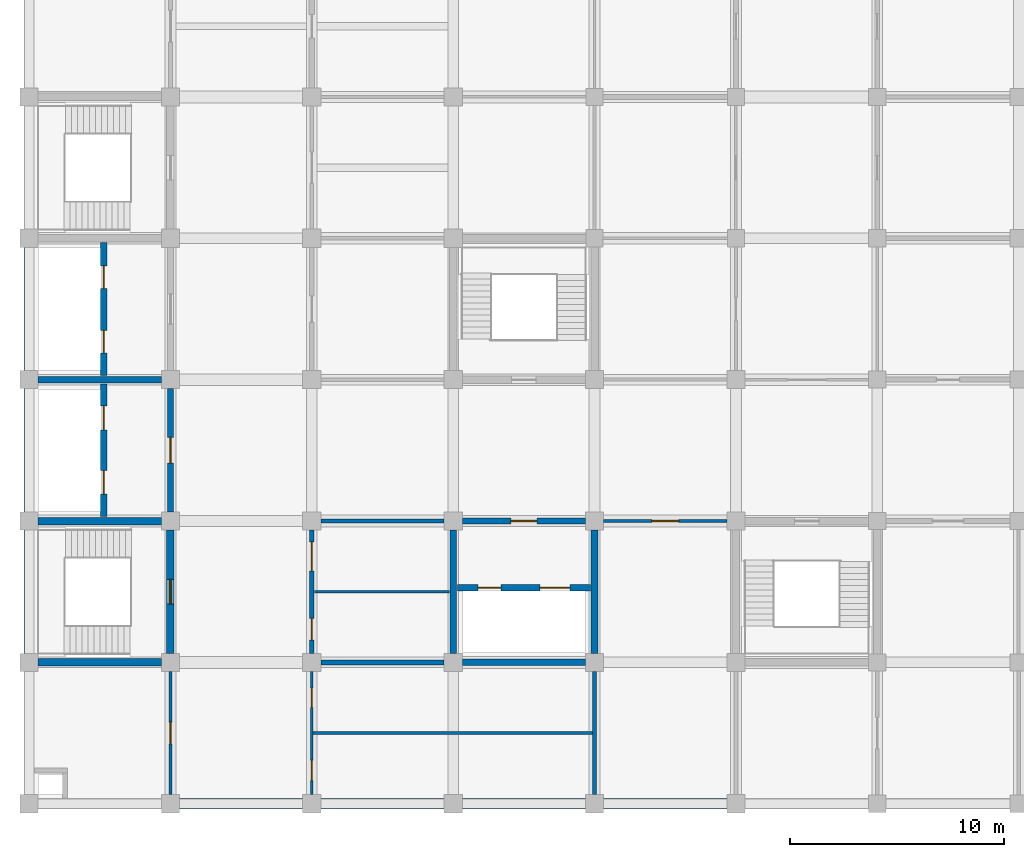
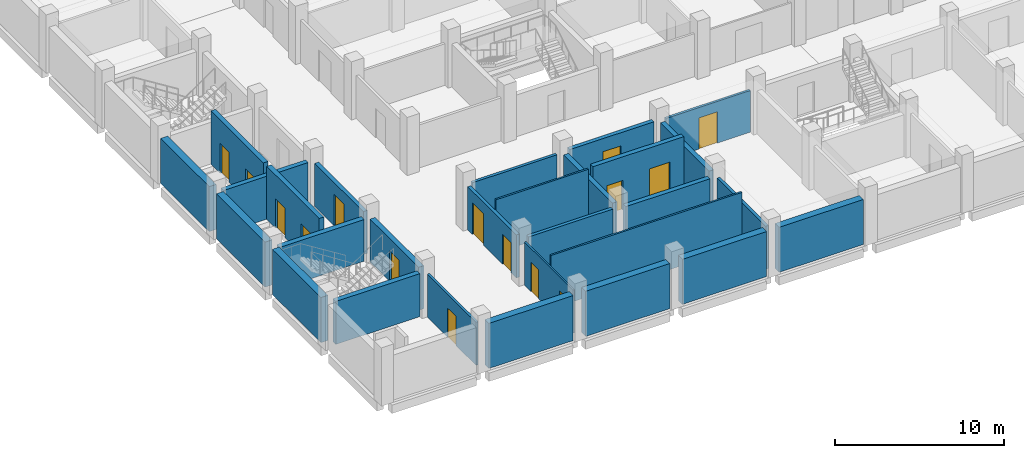
# One storey, part 17 of 30: 28 walls, 15 doors, 15 openings.
"""IFC4 building model written with IfcOpenShell, lengths in metres."""

from ifc_helpers import new_model, si_unit, direction, frame, frame_2d, origin, place, context, subcontext, project, spatial, rectangle, extrude, material, layer, layer_set, type_object, element, fill, save


model = new_model("IFC4")

# Units and contexts
model_context = context("Model", 3, precision=1e-05, world=origin(), true_north=direction((0.0, 1.0)))
body_context = subcontext(model_context, "Body", "Model", "MODEL_VIEW")
ifc_project = project(units=[si_unit("LENGTHUNIT", "METRE"), si_unit("AREAUNIT", "SQUARE_METRE"), si_unit("VOLUMEUNIT", "CUBIC_METRE"), si_unit("PLANEANGLEUNIT", "RADIAN"), si_unit("MASSUNIT", "GRAM", prefix="KILO")], contexts=[model_context])

# Site, building, storey
site_placement = place(None, origin())
site = spatial("IfcSite", under=ifc_project, at=site_placement, CompositionType="ELEMENT")
building_placement = place(site_placement, origin())
building = spatial("IfcBuilding", under=site, at=building_placement, Name="Rusizi Kubbe Research Institute", CompositionType="ELEMENT")
storey_placement = place(building_placement, frame((0.0, 0.0, 10.199951171875)))
storey = spatial("IfcBuildingStorey", under=building, at=storey_placement, Name="L02", CompositionType="ELEMENT", Elevation=10.199951171875)

# Walls
ifc_material_1 = material(Name="Concrete C45/55", Category="concrete")
ifc_layer_1 = layer(ifc_material_1, 0.35009765625)
ifc_layer_set_1 = layer_set([ifc_layer_1], Name="Concrete C45/55")
wall_type_1 = type_object("IfcWallType", Name="CRW-01", PredefinedType="SHEAR", material=ifc_layer_set_1)
wall_1_placement = place(storey_placement, frame((0.425048828125, 6.60009765625, 0.0), z_axis=(0.0, 0.0, 1.0), x_axis=(1.0, 0.0, 0.0)))
element("IfcWall", 1, at=wall_1_placement, inside=storey, type_object=wall_type_1, Name="Stair Core Shear Wall ST1 L02 S", PredefinedType="SHEAR", context=body_context, shape_type="SweptSolid", body=[
    extrude(rectangle(XDim=5.75, YDim=0.35009765625, at=frame_2d((2.875, 0.0))), origin(), (0.0, 0.0, 1.0), 3.10009765625),
])
wall_2_placement = place(storey_placement, frame((0.425048828125, 13.199951171875, 0.0), z_axis=(0.0, 0.0, 1.0), x_axis=(1.0, 0.0, 0.0)))
element("IfcWall", 2, at=wall_2_placement, inside=storey, type_object=wall_type_1, Name="Stair Core Shear Wall ST1 L02 N", PredefinedType="SHEAR", context=body_context, shape_type="SweptSolid", body=[
    extrude(rectangle(XDim=5.75, YDim=0.35009765625, at=frame_2d((2.875, 0.0))), origin(), (0.0, 0.0, 1.0), 3.0),
])

# Wall, opening, door
wall_3_placement = place(storey_placement, frame((6.60009765625, 7.02490234375, 0.0), z_axis=(0.0, 0.0, 1.0), x_axis=(0.0, 1.0, 0.0)))
wall_3 = element("IfcWall", 3, at=wall_3_placement, inside=storey, type_object=wall_type_1, Name="Stair Core Shear Wall ST1 L02 E", PredefinedType="SHEAR", context=body_context, shape_type="SweptSolid", body=[
    extrude(rectangle(XDim=5.75, YDim=0.35009765625, at=frame_2d((2.875, 0.0))), origin(), (0.0, 0.0, 1.0), 3.10009765625),
])
opening_1_placement = place(wall_3_placement, frame((2.300048828125, 0.0, 0.0)))
opening_1 = element("IfcOpeningElement", 4, at=opening_1_placement, cuts=wall_3, Name="Opening D-02", PredefinedType="OPENING", context=body_context, shape_type="SweptSolid", body=[
    extrude(rectangle(XDim=1.14990234375, YDim=2.199951171875, at=frame_2d((0.574951171875, 1.10009765625))), frame((0.0, 0.18505859375, 0.0), z_axis=(0.0, -1.0, 0.0), x_axis=(1.0, 0.0, 0.0)), (0.0, 0.0, 1.0), 0.3701171875),
])
ifc_material_2 = material(Name="Fire-Rated Steel Frame and Acoustic Timber Leaf", Category="wood")
door_type_1 = type_object("IfcDoorType", Name="ID-STAIR-115", OperationType="NOTDEFINED", PredefinedType="DOOR", material=ifc_material_2)
door_1_placement = place(opening_1_placement, origin())
door_1 = element("IfcDoor", 5, at=door_1_placement, inside=storey, type_object=door_type_1, Name="Exit Stair Door ST1 L02", OperationType="SINGLE_SWING_RIGHT", OverallHeight=2.199951171875, OverallWidth=1.14990234375, PredefinedType="DOOR", context=body_context, shape_type="SweptSolid", body=[
    extrude(rectangle(XDim=1.14990234375, YDim=2.199951171875, at=frame_2d((0.574951171875, 1.10009765625))), frame((0.0, 0.02490234375, 0.0), z_axis=(0.0, -1.0, 0.0), x_axis=(1.0, 0.0, 0.0)), (0.0, 0.0, 1.0), 0.050048828125),
])
fill(opening_1, door_1)

# Walls
ifc_material_3 = material(Name="Concrete C45/55", Category="concrete")
ifc_layer_2 = layer(ifc_material_3, 0.31494140625)
ifc_layer_set_2 = layer_set([ifc_layer_2], Name="Concrete C45/55")
wall_type_2 = type_object("IfcWallType", Name="CRW-02", PredefinedType="SHEAR", material=ifc_layer_set_2)
wall_4_placement = place(storey_placement, frame((0.425048828125, 19.800048828125, 0.0), z_axis=(0.0, 0.0, 1.0), x_axis=(1.0, 0.0, 0.0)))
element("IfcWall", 6, at=wall_4_placement, inside=storey, type_object=wall_type_2, Name="Lift Core Divider Wall (0,2-3) L02", PredefinedType="SHEAR", context=body_context, shape_type="SweptSolid", body=[
    extrude(rectangle(XDim=5.75, YDim=0.31494140625, at=frame_2d((2.875, 0.0))), origin(), (0.0, 0.0, 1.0), 3.10009765625),
])
wall_5_placement = place(storey_placement, frame((20.22509765625, 6.60009765625, 0.0), z_axis=(0.0, 0.0, 1.0), x_axis=(1.0, 0.0, 0.0)))
element("IfcWall", 7, at=wall_5_placement, inside=storey, type_object=wall_type_2, Name="Lab Lift Core Wall S (3,1) L02", PredefinedType="SHEAR", context=body_context, shape_type="SweptSolid", body=[
    extrude(rectangle(XDim=5.75, YDim=0.31494140625, at=frame_2d((2.875, 0.0))), origin(), (0.0, 0.0, 1.0), 3.0),
])
for number, where, z_axis, x_axis, name in (
    (8, (19.800048828125, 7.02490234375, 0.0), (0.0, 0.0, 1.0), (0.0, 1.0, 0.0), "Lab Lift Core Wall W (3,1) L02"),
    (9, (26.39990234375, 7.02490234375, 0.0), (0.0, 0.0, 1.0), (0.0, 1.0, 0.0), "Lab Lift Core Wall E (3,1) L02"),
):
    element("IfcWall", number, at=place(storey_placement, frame(where, z_axis=z_axis, x_axis=x_axis)), inside=storey, type_object=wall_type_2, Name=name, PredefinedType="SHEAR", context=body_context, shape_type="SweptSolid", body=[
        extrude(rectangle(XDim=5.75, YDim=0.31494140625, at=frame_2d((2.875, 0.0))), origin(), (0.0, 0.0, 1.0), 3.10009765625),
    ])

# Wall, openings, doors
wall_6_placement = place(storey_placement, frame((3.47998046875, 13.39990234375, 0.0), z_axis=(0.0, 0.0, 1.0), x_axis=(0.0, 1.0, 0.0)))
wall_6 = element("IfcWall", 10, at=wall_6_placement, inside=storey, type_object=wall_type_2, Name="Firefighting Lift Shaft Front Wall L02", PredefinedType="SHEAR", context=body_context, shape_type="SweptSolid", body=[
    extrude(rectangle(XDim=6.2001953125, YDim=0.31494140625, at=frame_2d((3.10009765625, 0.0))), origin(), (0.0, 0.0, 1.0), 3.85009765625),
])
opening_2_placement = place(wall_6_placement, frame((1.050048828125, 0.0, 0.0)))
opening_2 = element("IfcOpeningElement", 11, at=opening_2_placement, cuts=wall_6, Name="Opening LD-01", PredefinedType="OPENING", context=body_context, shape_type="SweptSolid", body=[
    extrude(rectangle(XDim=1.10009765625, YDim=2.14990234375, at=frame_2d((0.550048828125, 1.074951171875))), frame((0.0, 0.16748046875, 0.0), z_axis=(0.0, -1.0, 0.0), x_axis=(1.0, 0.0, 0.0)), (0.0, 0.0, 1.0), 0.3349609375),
])
opening_3_placement = place(wall_6_placement, frame((4.050048828125, 0.0, 0.0)))
opening_3 = element("IfcOpeningElement", 12, at=opening_3_placement, cuts=wall_6, Name="Opening LD-02", PredefinedType="OPENING", context=body_context, shape_type="SweptSolid", body=[
    extrude(rectangle(XDim=1.1201171875, YDim=2.14990234375, at=frame_2d((0.56005859375, 1.074951171875))), frame((0.0, 0.16748046875, 0.0), z_axis=(0.0, -1.0, 0.0), x_axis=(1.0, 0.0, 0.0)), (0.0, 0.0, 1.0), 0.3349609375),
])
ifc_material_4 = material(Name="Brushed Stainless Steel Sliding Door", Category="steel")
door_type_2 = type_object("IfcDoorType", Name="LD-01", OperationType="DOUBLE_DOOR_SLIDING", PredefinedType="USERDEFINED", material=ifc_material_4)
door_2_placement = place(opening_2_placement, origin())
door_2 = element("IfcDoor", 13, at=door_2_placement, inside=storey, type_object=door_type_2, Name="Lift Landing Sliding Door FL1 L02", ObjectType="SLIDING DOOR", OperationType="DOUBLE_DOOR_SLIDING", OverallHeight=2.14990234375, OverallWidth=1.10009765625, PredefinedType="USERDEFINED", context=body_context, shape_type="SweptSolid", body=[
    extrude(rectangle(XDim=1.10009765625, YDim=2.14990234375, at=frame_2d((0.550048828125, 1.074951171875))), frame((0.0, 0.02490234375, 0.0), z_axis=(0.0, -1.0, 0.0), x_axis=(1.0, 0.0, 0.0)), (0.0, 0.0, 1.0), 0.050048828125),
])
fill(opening_2, door_2)
ifc_material_5 = material(Name="Brushed Stainless Steel Sliding Door", Category="steel")
door_type_3 = type_object("IfcDoorType", Name="LD-02", OperationType="DOUBLE_DOOR_SLIDING", PredefinedType="USERDEFINED", material=ifc_material_5)
door_3_placement = place(opening_3_placement, origin())
door_3 = element("IfcDoor", 14, at=door_3_placement, inside=storey, type_object=door_type_3, Name="Lift Landing Sliding Door FL2 L02", ObjectType="SLIDING DOOR", OperationType="DOUBLE_DOOR_SLIDING", OverallHeight=2.14990234375, OverallWidth=1.1201171875, PredefinedType="USERDEFINED", context=body_context, shape_type="SweptSolid", body=[
    extrude(rectangle(XDim=1.1201171875, YDim=2.14990234375, at=frame_2d((0.56005859375, 1.074951171875))), frame((0.0, 0.02490234375, 0.0), z_axis=(0.0, -1.0, 0.0), x_axis=(1.0, 0.0, 0.0)), (0.0, 0.0, 1.0), 0.050048828125),
])
fill(opening_3, door_3)

wall_7_placement = place(storey_placement, frame((3.47998046875, 20.0, 0.0), z_axis=(0.0, 0.0, 1.0), x_axis=(0.0, 1.0, 0.0)))
wall_7 = element("IfcWall", 15, at=wall_7_placement, inside=storey, type_object=wall_type_2, Name="Passenger Lift Shaft Front Wall L02", PredefinedType="SHEAR", context=body_context, shape_type="SweptSolid", body=[
    extrude(rectangle(XDim=6.199951171875, YDim=0.31494140625, at=frame_2d((3.10009765625, 0.0))), origin(), (0.0, 0.0, 1.0), 3.85009765625),
])
opening_4_placement = place(wall_7_placement, frame((1.050048828125, 0.0, 0.0)))
opening_4 = element("IfcOpeningElement", 16, at=opening_4_placement, cuts=wall_7, Name="Opening LD-03", PredefinedType="OPENING", context=body_context, shape_type="SweptSolid", body=[
    extrude(rectangle(XDim=1.050048828125, YDim=2.14990234375, at=frame_2d((0.52490234375, 1.074951171875))), frame((0.0, 0.16748046875, 0.0), z_axis=(0.0, -1.0, 0.0), x_axis=(1.0, 0.0, 0.0)), (0.0, 0.0, 1.0), 0.3349609375),
])
opening_5_placement = place(wall_7_placement, frame((4.050048828125, 0.0, 0.0)))
opening_5 = element("IfcOpeningElement", 17, at=opening_5_placement, cuts=wall_7, Name="Opening LD-04", PredefinedType="OPENING", context=body_context, shape_type="SweptSolid", body=[
    extrude(rectangle(XDim=1.06005859375, YDim=2.14990234375, at=frame_2d((0.530029296875, 1.074951171875))), frame((0.0, 0.16748046875, 0.0), z_axis=(0.0, -1.0, 0.0), x_axis=(1.0, 0.0, 0.0)), (0.0, 0.0, 1.0), 0.3349609375),
])
ifc_material_6 = material(Name="Brushed Stainless Steel Sliding Door", Category="steel")
door_type_4 = type_object("IfcDoorType", Name="LD-03", OperationType="DOUBLE_DOOR_SLIDING", PredefinedType="USERDEFINED", material=ifc_material_6)
door_4_placement = place(opening_4_placement, origin())
door_4 = element("IfcDoor", 18, at=door_4_placement, inside=storey, type_object=door_type_4, Name="Lift Landing Sliding Door LP1 L02", ObjectType="SLIDING DOOR", OperationType="DOUBLE_DOOR_SLIDING", OverallHeight=2.14990234375, OverallWidth=1.050048828125, PredefinedType="USERDEFINED", context=body_context, shape_type="SweptSolid", body=[
    extrude(rectangle(XDim=1.050048828125, YDim=2.14990234375, at=frame_2d((0.52490234375, 1.074951171875))), frame((0.0, 0.02490234375, 0.0), z_axis=(0.0, -1.0, 0.0), x_axis=(1.0, 0.0, 0.0)), (0.0, 0.0, 1.0), 0.050048828125),
])
fill(opening_4, door_4)
ifc_material_7 = material(Name="Brushed Stainless Steel Sliding Door", Category="steel")
door_type_5 = type_object("IfcDoorType", Name="LD-04", OperationType="DOUBLE_DOOR_SLIDING", PredefinedType="USERDEFINED", material=ifc_material_7)
door_5_placement = place(opening_5_placement, origin())
door_5 = element("IfcDoor", 19, at=door_5_placement, inside=storey, type_object=door_type_5, Name="Lift Landing Sliding Door LP2 L02", ObjectType="SLIDING DOOR", OperationType="DOUBLE_DOOR_SLIDING", OverallHeight=2.14990234375, OverallWidth=1.06005859375, PredefinedType="USERDEFINED", context=body_context, shape_type="SweptSolid", body=[
    extrude(rectangle(XDim=1.06005859375, YDim=2.14990234375, at=frame_2d((0.530029296875, 1.074951171875))), frame((0.0, 0.02490234375, 0.0), z_axis=(0.0, -1.0, 0.0), x_axis=(1.0, 0.0, 0.0)), (0.0, 0.0, 1.0), 0.050048828125),
])
fill(opening_5, door_5)

wall_8_placement = place(storey_placement, frame((20.0, 10.080078125, 0.0), z_axis=(0.0, 0.0, 1.0), x_axis=(1.0, 0.0, 0.0)))
wall_8 = element("IfcWall", 20, at=wall_8_placement, inside=storey, type_object=wall_type_2, Name="Goods Lift Shaft Front Wall L02", PredefinedType="SHEAR", context=body_context, shape_type="SweptSolid", body=[
    extrude(rectangle(XDim=6.199951171875, YDim=0.31494140625, at=frame_2d((3.10009765625, 0.0))), origin(), (0.0, 0.0, 1.0), 3.85009765625),
])
opening_6_placement = place(wall_8_placement, frame((0.949951171875, 0.0, 0.0)))
opening_6 = element("IfcOpeningElement", 21, at=opening_6_placement, cuts=wall_8, Name="Opening LD-05", PredefinedType="OPENING", context=body_context, shape_type="SweptSolid", body=[
    extrude(rectangle(XDim=1.080078125, YDim=2.14990234375, at=frame_2d((0.5400390625, 1.074951171875))), frame((0.0, 0.16748046875, 0.0), z_axis=(0.0, -1.0, 0.0), x_axis=(1.0, 0.0, 0.0)), (0.0, 0.0, 1.0), 0.3349609375),
])
opening_7_placement = place(wall_8_placement, frame((3.85009765625, 0.0, 0.0)))
opening_7 = element("IfcOpeningElement", 22, at=opening_7_placement, cuts=wall_8, Name="Opening LD-06", PredefinedType="OPENING", context=body_context, shape_type="SweptSolid", body=[
    extrude(rectangle(XDim=1.39990234375, YDim=2.35009765625, at=frame_2d((0.699951171875, 1.175048828125))), frame((0.0, 0.16748046875, 0.0), z_axis=(0.0, -1.0, 0.0), x_axis=(1.0, 0.0, 0.0)), (0.0, 0.0, 1.0), 0.3349609375),
])
ifc_material_8 = material(Name="Brushed Stainless Steel Sliding Door", Category="steel")
door_type_6 = type_object("IfcDoorType", Name="LD-05", OperationType="DOUBLE_DOOR_SLIDING", PredefinedType="USERDEFINED", material=ifc_material_8)
door_6_placement = place(opening_6_placement, origin())
door_6 = element("IfcDoor", 23, at=door_6_placement, inside=storey, type_object=door_type_6, Name="Lift Landing Sliding Door LP3 L02", ObjectType="SLIDING DOOR", OperationType="DOUBLE_DOOR_SLIDING", OverallHeight=2.14990234375, OverallWidth=1.080078125, PredefinedType="USERDEFINED", context=body_context, shape_type="SweptSolid", body=[
    extrude(rectangle(XDim=1.080078125, YDim=2.14990234375, at=frame_2d((0.5400390625, 1.074951171875))), frame((0.0, 0.02490234375, 0.0), z_axis=(0.0, -1.0, 0.0), x_axis=(1.0, 0.0, 0.0)), (0.0, 0.0, 1.0), 0.050048828125),
])
fill(opening_6, door_6)
ifc_material_9 = material(Name="Brushed Stainless Steel Sliding Door", Category="steel")
door_type_7 = type_object("IfcDoorType", Name="LD-06", OperationType="DOUBLE_DOOR_SLIDING", PredefinedType="USERDEFINED", material=ifc_material_9)
door_7_placement = place(opening_7_placement, origin())
door_7 = element("IfcDoor", 24, at=door_7_placement, inside=storey, type_object=door_type_7, Name="Lift Landing Sliding Door LG1 L02", ObjectType="SLIDING DOOR", OperationType="DOUBLE_DOOR_SLIDING", OverallHeight=2.35009765625, OverallWidth=1.39990234375, PredefinedType="USERDEFINED", context=body_context, shape_type="SweptSolid", body=[
    extrude(rectangle(XDim=1.39990234375, YDim=2.35009765625, at=frame_2d((0.699951171875, 1.175048828125))), frame((0.0, 0.02490234375, 0.0), z_axis=(0.0, -1.0, 0.0), x_axis=(1.0, 0.0, 0.0)), (0.0, 0.0, 1.0), 0.050048828125),
])
fill(opening_7, door_7)

# Wall
ifc_material_10 = material(Name="Concrete Blockwork Fire Partition", Category="masonry")
ifc_layer_3 = layer(ifc_material_10, 0.22509765625)
ifc_layer_set_3 = layer_set([ifc_layer_3], Name="Concrete Blockwork Fire Partition")
wall_type_3 = type_object("IfcWallType", Name="IW-01", PredefinedType="PARTITIONING", material=ifc_layer_set_3)
wall_9_placement = place(storey_placement, frame((13.625, 6.60009765625, 0.0), z_axis=(0.0, 0.0, 1.0), x_axis=(1.0, 0.0, 0.0)))
element("IfcWall", 25, at=wall_9_placement, inside=storey, type_object=wall_type_3, Name="Sanitary Core North Divider Wall L02", PredefinedType="PARTITIONING", context=body_context, shape_type="SweptSolid", body=[
    extrude(rectangle(XDim=5.75, YDim=0.22509765625, at=frame_2d((2.875, 0.0))), origin(), (0.0, 0.0, 1.0), 3.10009765625),
])

# Wall, openings, doors
wall_10_placement = place(storey_placement, frame((13.199951171875, 7.02490234375, 0.0), z_axis=(0.0, 0.0, 1.0), x_axis=(0.0, 1.0, 0.0)))
wall_10 = element("IfcWall", 26, at=wall_10_placement, inside=storey, type_object=wall_type_3, Name="Accessible WC and Store West Wall L02", PredefinedType="PARTITIONING", context=body_context, shape_type="SweptSolid", body=[
    extrude(rectangle(XDim=5.75, YDim=0.22509765625, at=frame_2d((2.875, 0.0))), origin(), (0.0, 0.0, 1.0), 3.10009765625),
])
opening_8_placement = place(wall_10_placement, frame((0.614990234375, 0.0, 0.0)))
opening_8 = element("IfcOpeningElement", 27, at=opening_8_placement, cuts=wall_10, Name="Opening D-07", PredefinedType="OPENING", context=body_context, shape_type="SweptSolid", body=[
    extrude(rectangle(XDim=1.02001953125, YDim=2.14990234375, at=frame_2d((0.510009765625, 1.074951171875))), frame((0.0, 0.12255859375, 0.0), z_axis=(0.0, -1.0, 0.0), x_axis=(1.0, 0.0, 0.0)), (0.0, 0.0, 1.0), 0.2451171875),
])
opening_9_placement = place(wall_10_placement, frame((3.85009765625, 0.0, 0.0)))
opening_9 = element("IfcOpeningElement", 28, at=opening_9_placement, cuts=wall_10, Name="Opening D-13", PredefinedType="OPENING", context=body_context, shape_type="SweptSolid", body=[
    extrude(rectangle(XDim=1.35009765625, YDim=2.300048828125, at=frame_2d((0.675048828125, 1.14990234375))), frame((0.0, 0.12255859375, 0.0), z_axis=(0.0, -1.0, 0.0), x_axis=(1.0, 0.0, 0.0)), (0.0, 0.0, 1.0), 0.2451171875),
])
ifc_material_11 = material(Name="Fire-Rated Steel Frame and Acoustic Timber Leaf", Category="wood")
door_type_8 = type_object("IfcDoorType", Name="ID-LAB-135", OperationType="NOTDEFINED", PredefinedType="DOOR", material=ifc_material_11)
door_8_placement = place(opening_9_placement, origin())
door_8 = element("IfcDoor", 29, at=door_8_placement, inside=storey, type_object=door_type_8, Name="Door to Laboratory Reagent Store (L02-STR-01)", OperationType="SINGLE_SWING_LEFT", OverallHeight=2.300048828125, OverallWidth=1.35009765625, PredefinedType="DOOR", context=body_context, shape_type="SweptSolid", body=[
    extrude(rectangle(XDim=1.35009765625, YDim=2.300048828125, at=frame_2d((0.675048828125, 1.14990234375))), frame((0.0, 0.02490234375, 0.0), z_axis=(0.0, -1.0, 0.0), x_axis=(1.0, 0.0, 0.0)), (0.0, 0.0, 1.0), 0.050048828125),
])
fill(opening_9, door_8)
ifc_material_12 = material(Name="Fire-Rated Steel Frame and Acoustic Timber Leaf", Category="wood")
door_type_9 = type_object("IfcDoorType", Name="ID-WC-ACC", OperationType="NOTDEFINED", PredefinedType="DOOR", material=ifc_material_12)
door_9_placement = place(opening_8_placement, origin())
door_9 = element("IfcDoor", 30, at=door_9_placement, inside=storey, type_object=door_type_9, Name="Door to Accessible Toilet Room (L02-WC-ACC)", OperationType="SINGLE_SWING_LEFT", OverallHeight=2.14990234375, OverallWidth=1.02001953125, PredefinedType="DOOR", context=body_context, shape_type="SweptSolid", body=[
    extrude(rectangle(XDim=1.02001953125, YDim=2.14990234375, at=frame_2d((0.510009765625, 1.074951171875))), frame((0.0, 0.02490234375, 0.0), z_axis=(0.0, -1.0, 0.0), x_axis=(1.0, 0.0, 0.0)), (0.0, 0.0, 1.0), 0.050048828125),
])
fill(opening_8, door_9)

# Walls
ifc_material_13 = material(Name="Insulated Cleanroom Partition", Category="masonry")
ifc_layer_4 = layer(ifc_material_13, 0.195068359375)
ifc_layer_set_4 = layer_set([ifc_layer_4], Name="Insulated Cleanroom Partition")
wall_type_4 = type_object("IfcWallType", Name="IW-02", PredefinedType="PARTITIONING", material=ifc_layer_set_4)
wall_11_placement = place(storey_placement, frame((26.39990234375, 0.425048828125, 0.0), z_axis=(0.0, 0.0, 1.0), x_axis=(0.0, 1.0, 0.0)))
element("IfcWall", 31, at=wall_11_placement, inside=storey, type_object=wall_type_4, Name="Sanitary Core East Enclosing Wall L02", PredefinedType="PARTITIONING", context=body_context, shape_type="SweptSolid", body=[
    extrude(rectangle(XDim=5.75, YDim=0.195068359375, at=frame_2d((2.875, 0.0))), origin(), (0.0, 0.0, 1.0), 3.10009765625),
])
wall_12_placement = place(storey_placement, frame((13.625, 13.199951171875, 0.0), z_axis=(0.0, 0.0, 1.0), x_axis=(1.0, 0.0, 0.0)))
element("IfcWall", 32, at=wall_12_placement, inside=storey, type_object=wall_type_4, Name="Reagent Store North Corridor Wall L02", PredefinedType="PARTITIONING", context=body_context, shape_type="SweptSolid", body=[
    extrude(rectangle(XDim=5.75, YDim=0.195068359375, at=frame_2d((2.875, 0.0))), origin(), (0.0, 0.0, 1.0), 3.0),
])

# Wall, opening, door
ifc_material_14 = material(Name="Fire-Rated Corridor Partition", Category="masonry")
ifc_layer_5 = layer(ifc_material_14, 0.155029296875)
ifc_layer_set_5 = layer_set([ifc_layer_5], Name="Fire-Rated Corridor Partition")
wall_type_5 = type_object("IfcWallType", Name="IW-04", PredefinedType="PARTITIONING", material=ifc_layer_set_5)
wall_13_placement = place(storey_placement, frame((6.60009765625, 0.425048828125, 0.0), z_axis=(0.0, 0.0, 1.0), x_axis=(0.0, 1.0, 0.0)))
wall_13 = element("IfcWall", 33, at=wall_13_placement, inside=storey, type_object=wall_type_5, Name="Interior Partition Wall L02 V1-0", PredefinedType="PARTITIONING", context=body_context, shape_type="SweptSolid", body=[
    extrude(rectangle(XDim=5.75, YDim=0.155029296875, at=frame_2d((2.875, 0.0))), origin(), (0.0, 0.0, 1.0), 3.10009765625),
])
opening_10_placement = place(wall_13_placement, frame((2.375, 0.0, 0.0)))
opening_10 = element("IfcOpeningElement", 34, at=opening_10_placement, cuts=wall_13, Name="Opening D-04", PredefinedType="OPENING", context=body_context, shape_type="SweptSolid", body=[
    extrude(rectangle(XDim=1.0, YDim=2.10009765625, at=frame_2d((0.5, 1.050048828125))), frame((0.0, 0.08740234375, 0.0), z_axis=(0.0, -1.0, 0.0), x_axis=(1.0, 0.0, 0.0)), (0.0, 0.0, 1.0), 0.175048828125),
])
ifc_material_15 = material(Name="Fire-Rated Steel Frame and Acoustic Timber Leaf", Category="wood")
door_type_10 = type_object("IfcDoorType", Name="ID-MEP-100", OperationType="NOTDEFINED", PredefinedType="DOOR", material=ifc_material_15)
door_10_placement = place(opening_10_placement, origin())
door_10 = element("IfcDoor", 35, at=door_10_placement, inside=storey, type_object=door_type_10, Name="Door to Service Spine Utility Riser Room (L02-MEP-01)", OperationType="SINGLE_SWING_RIGHT", OverallHeight=2.10009765625, OverallWidth=1.0, PredefinedType="DOOR", context=body_context, shape_type="SweptSolid", body=[
    extrude(rectangle(XDim=1.0, YDim=2.10009765625, at=frame_2d((0.5, 1.050048828125))), frame((0.0, 0.02490234375, 0.0), z_axis=(0.0, -1.0, 0.0), x_axis=(1.0, 0.0, 0.0)), (0.0, 0.0, 1.0), 0.050048828125),
])
fill(opening_10, door_10)

wall_14_placement = place(storey_placement, frame((26.824951171875, 13.199951171875, 0.0), z_axis=(0.0, 0.0, 1.0), x_axis=(1.0, 0.0, 0.0)))
wall_14 = element("IfcWall", 36, at=wall_14_placement, inside=storey, type_object=wall_type_5, Name="Interior Partition Wall L02 H4-2", PredefinedType="PARTITIONING", context=body_context, shape_type="SweptSolid", body=[
    extrude(rectangle(XDim=5.75, YDim=0.155029296875, at=frame_2d((2.875, 0.0))), origin(), (0.0, 0.0, 1.0), 3.0),
])
opening_11_placement = place(wall_14_placement, frame((2.25, 0.0, 0.0)))
opening_11 = element("IfcOpeningElement", 37, at=opening_11_placement, cuts=wall_14, Name="Opening D-15", PredefinedType="OPENING", context=body_context, shape_type="SweptSolid", body=[
    extrude(rectangle(XDim=1.25, YDim=2.25, at=frame_2d((0.625, 1.125))), frame((0.0, 0.08740234375, 0.0), z_axis=(0.0, -1.0, 0.0), x_axis=(1.0, 0.0, 0.0)), (0.0, 0.0, 1.0), 0.175048828125),
])
ifc_material_16 = material(Name="Fire-Rated Steel Frame and Acoustic Timber Leaf", Category="wood")
door_type_11 = type_object("IfcDoorType", Name="ID-LAB-125", OperationType="NOTDEFINED", PredefinedType="DOOR", material=ifc_material_16)
door_11_placement = place(opening_11_placement, origin())
door_11 = element("IfcDoor", 38, at=door_11_placement, inside=storey, type_object=door_type_11, Name="Door to Catalysis Wet Laboratory (L02-EWS-01)", OperationType="SINGLE_SWING_LEFT", OverallHeight=2.25, OverallWidth=1.25, PredefinedType="DOOR", context=body_context, shape_type="SweptSolid", body=[
    extrude(rectangle(XDim=1.25, YDim=2.25, at=frame_2d((0.625, 1.125))), frame((0.0, 0.02490234375, 0.0), z_axis=(0.0, -1.0, 0.0), x_axis=(1.0, 0.0, 0.0)), (0.0, 0.0, 1.0), 0.050048828125),
])
fill(opening_11, door_11)

# Walls
ifc_material_17 = material(Name="Sanitary Wet-Wall Partition", Category="masonry")
ifc_layer_6 = layer(ifc_material_17, 0.125)
ifc_layer_set_6 = layer_set([ifc_layer_6], Name="Sanitary Wet-Wall Partition")
wall_type_6 = type_object("IfcWallType", Name="IW-06", PredefinedType="PARTITIONING", material=ifc_layer_set_6)
wall_15_placement = place(storey_placement, frame((13.260009765625, 3.300048828125, 0.0), z_axis=(0.0, 0.0, 1.0), x_axis=(1.0, 0.0, 0.0)))
element("IfcWall", 39, at=wall_15_placement, inside=storey, type_object=wall_type_6, Name="Sanitary Divider Wall L02-1", PredefinedType="PARTITIONING", context=body_context, shape_type="SweptSolid", body=[
    extrude(rectangle(XDim=13.03759765625, YDim=0.125, at=frame_2d((6.518798828125, 0.0))), origin(), (0.0, 0.0, 1.0), 3.85009765625),
])
wall_16_placement = place(storey_placement, frame((13.3173828125, 9.89990234375, 0.0), z_axis=(0.0, 0.0, 1.0), x_axis=(1.0, 0.0, 0.0)))
element("IfcWall", 40, at=wall_16_placement, inside=storey, type_object=wall_type_6, Name="Sanitary Divider Wall L02-2", PredefinedType="PARTITIONING", context=body_context, shape_type="SweptSolid", body=[
    extrude(rectangle(XDim=6.320068359375, YDim=0.125, at=frame_2d((3.16015625, 0.0))), origin(), (0.0, 0.0, 1.0), 3.85009765625),
])

# Wall, openings, doors
ifc_material_18 = material(Name="Sub-Suite Fire Partition", Category="masonry")
ifc_layer_7 = layer(ifc_material_18, 0.110107421875)
ifc_layer_set_7 = layer_set([ifc_layer_7], Name="Sub-Suite Fire Partition")
wall_type_7 = type_object("IfcWallType", Name="IW-07", PredefinedType="PARTITIONING", material=ifc_layer_set_7)
wall_17_placement = place(storey_placement, frame((13.199951171875, 0.425048828125, 0.0), z_axis=(0.0, 0.0, 1.0), x_axis=(0.0, 1.0, 0.0)))
wall_17 = element("IfcWall", 41, at=wall_17_placement, inside=storey, type_object=wall_type_7, Name="Sanitary Core West Corridor Wall L02", PredefinedType="PARTITIONING", context=body_context, shape_type="SweptSolid", body=[
    extrude(rectangle(XDim=5.75, YDim=0.110107421875, at=frame_2d((2.875, 0.0))), origin(), (0.0, 0.0, 1.0), 3.10009765625),
])
opening_12_placement = place(wall_17_placement, frame((0.64990234375, 0.0, 0.0)))
opening_12 = element("IfcOpeningElement", 42, at=opening_12_placement, cuts=wall_17, Name="Opening D-06", PredefinedType="OPENING", context=body_context, shape_type="SweptSolid", body=[
    extrude(rectangle(XDim=0.949951171875, YDim=2.10009765625, at=frame_2d((0.47509765625, 1.050048828125))), frame((0.0, 0.06494140625, 0.0), z_axis=(0.0, -1.0, 0.0), x_axis=(1.0, 0.0, 0.0)), (0.0, 0.0, 1.0), 0.130126953125),
])
opening_13_placement = place(wall_17_placement, frame((4.074951171875, 0.0, 0.0)))
opening_13 = element("IfcOpeningElement", 43, at=opening_13_placement, cuts=wall_17, Name="Opening D-05", PredefinedType="OPENING", context=body_context, shape_type="SweptSolid", body=[
    extrude(rectangle(XDim=0.89990234375, YDim=2.10009765625, at=frame_2d((0.449951171875, 1.050048828125))), frame((0.0, 0.06494140625, 0.0), z_axis=(0.0, -1.0, 0.0), x_axis=(1.0, 0.0, 0.0)), (0.0, 0.0, 1.0), 0.130126953125),
])
ifc_material_19 = material(Name="Fire-Rated Steel Frame and Acoustic Timber Leaf", Category="wood")
door_type_12 = type_object("IfcDoorType", Name="ID-WC-900", OperationType="NOTDEFINED", PredefinedType="DOOR", material=ifc_material_19)
door_12_placement = place(opening_13_placement, origin())
door_12 = element("IfcDoor", 44, at=door_12_placement, inside=storey, type_object=door_type_12, Name="Door to Female Toilet Room (L02-WC-F)", OperationType="SINGLE_SWING_LEFT", OverallHeight=2.10009765625, OverallWidth=0.89990234375, PredefinedType="DOOR", context=body_context, shape_type="SweptSolid", body=[
    extrude(rectangle(XDim=0.89990234375, YDim=2.10009765625, at=frame_2d((0.449951171875, 1.050048828125))), frame((0.0, 0.02490234375, 0.0), z_axis=(0.0, -1.0, 0.0), x_axis=(1.0, 0.0, 0.0)), (0.0, 0.0, 1.0), 0.050048828125),
])
fill(opening_13, door_12)
ifc_material_20 = material(Name="Fire-Rated Steel Frame and Acoustic Timber Leaf", Category="wood")
door_type_13 = type_object("IfcDoorType", Name="ID-WC-950", OperationType="NOTDEFINED", PredefinedType="DOOR", material=ifc_material_20)
door_13_placement = place(opening_12_placement, origin())
door_13 = element("IfcDoor", 45, at=door_13_placement, inside=storey, type_object=door_type_13, Name="Door to Male Toilet Room (L02-WC-M)", OperationType="SINGLE_SWING_RIGHT", OverallHeight=2.10009765625, OverallWidth=0.949951171875, PredefinedType="DOOR", context=body_context, shape_type="SweptSolid", body=[
    extrude(rectangle(XDim=0.949951171875, YDim=2.10009765625, at=frame_2d((0.47509765625, 1.050048828125))), frame((0.0, 0.02490234375, 0.0), z_axis=(0.0, -1.0, 0.0), x_axis=(1.0, 0.0, 0.0)), (0.0, 0.0, 1.0), 0.050048828125),
])
fill(opening_12, door_13)

# Walls
ifc_material_21 = material(Name="Concrete C40/50", Category="concrete")
ifc_layer_8 = layer(ifc_material_21, 0.47998046875)
ifc_layer_set_8 = layer_set([ifc_layer_8], Name="Concrete C40/50")
wall_type_8 = type_object("IfcWallType", Name="PW-01", PredefinedType="SOLIDWALL", material=ifc_layer_set_8)
for number, where, z_axis, x_axis, name in (
    (46, (0.0, 7.02490234375, 0.0), (0.0, 0.0, 1.0), (0.0, 1.0, 0.0), "Blind Party Wall L02 V0-1"),
    (47, (0.0, 13.625, 0.0), (0.0, 0.0, 1.0), (0.0, 1.0, 0.0), "Blind Party Wall L02 V0-2"),
    (48, (0.0, 20.22509765625, 0.0), (0.0, 0.0, 1.0), (0.0, 1.0, 0.0), "Blind Party Wall L02 V0-3"),
    (49, (7.02490234375, 0.0, 0.0), (0.0, 0.0, 1.0), (1.0, 0.0, 0.0), "Blind Party Wall L02 H1-0"),
    (50, (13.625, 0.0, 0.0), (0.0, 0.0, 1.0), (1.0, 0.0, 0.0), "Blind Party Wall L02 H2-0"),
    (51, (20.22509765625, 0.0, 0.0), (0.0, 0.0, 1.0), (1.0, 0.0, 0.0), "Blind Party Wall L02 H3-0"),
    (52, (26.824951171875, 0.0, 0.0), (0.0, 0.0, 1.0), (1.0, 0.0, 0.0), "Blind Party Wall L02 H4-0"),
):
    element("IfcWall", number, at=place(storey_placement, frame(where, z_axis=z_axis, x_axis=x_axis)), inside=storey, type_object=wall_type_8, Name=name, PredefinedType="SOLIDWALL", context=body_context, shape_type="SweptSolid", body=[
        extrude(rectangle(XDim=5.75, YDim=0.47998046875, at=frame_2d((2.875, 0.0))), origin(), (0.0, 0.0, 1.0), 3.25),
    ])

# Wall, opening, door
ifc_material_22 = material(Name="Concrete C40/50", Category="concrete")
ifc_layer_9 = layer(ifc_material_22, 0.27490234375)
ifc_layer_set_9 = layer_set([ifc_layer_9], Name="Concrete C40/50")
wall_type_9 = type_object("IfcWallType", Name="SHW-01", PredefinedType="SHEAR", material=ifc_layer_set_9)
wall_18_placement = place(storey_placement, frame((6.60009765625, 13.625, 0.0), z_axis=(0.0, 0.0, 1.0), x_axis=(0.0, 1.0, 0.0)))
wall_18 = element("IfcWall", 53, at=wall_18_placement, inside=storey, type_object=wall_type_9, Name="Firefighting Lobby Wall L02", PredefinedType="SHEAR", context=body_context, shape_type="SweptSolid", body=[
    extrude(rectangle(XDim=5.75, YDim=0.27490234375, at=frame_2d((2.875, 0.0))), origin(), (0.0, 0.0, 1.0), 3.10009765625),
])
opening_14_placement = place(wall_18_placement, frame((2.27490234375, 0.0, 0.0)))
opening_14 = element("IfcOpeningElement", 54, at=opening_14_placement, cuts=wall_18, Name="Opening D-03", PredefinedType="OPENING", context=body_context, shape_type="SweptSolid", body=[
    extrude(rectangle(XDim=1.199951171875, YDim=2.25, at=frame_2d((0.60009765625, 1.125))), frame((0.0, 0.1474609375, 0.0), z_axis=(0.0, -1.0, 0.0), x_axis=(1.0, 0.0, 0.0)), (0.0, 0.0, 1.0), 0.294921875),
])
ifc_material_23 = material(Name="Fire-Rated Steel Frame and Acoustic Timber Leaf", Category="wood")
door_type_14 = type_object("IfcDoorType", Name="ID-FF-120", OperationType="NOTDEFINED", PredefinedType="DOOR", material=ifc_material_23)
door_14_placement = place(opening_14_placement, origin())
door_14 = element("IfcDoor", 55, at=door_14_placement, inside=storey, type_object=door_type_14, Name="Door to Firefighting Lift Lobby (L02-FFL-01)", OperationType="SINGLE_SWING_LEFT", OverallHeight=2.25, OverallWidth=1.199951171875, PredefinedType="DOOR", context=body_context, shape_type="SweptSolid", body=[
    extrude(rectangle(XDim=1.199951171875, YDim=2.25, at=frame_2d((0.60009765625, 1.125))), frame((0.0, 0.02490234375, 0.0), z_axis=(0.0, -1.0, 0.0), x_axis=(1.0, 0.0, 0.0)), (0.0, 0.0, 1.0), 0.050048828125),
])
fill(opening_14, door_14)

wall_19_placement = place(storey_placement, frame((20.22509765625, 13.199951171875, 0.0), z_axis=(0.0, 0.0, 1.0), x_axis=(1.0, 0.0, 0.0)))
wall_19 = element("IfcWall", 56, at=wall_19_placement, inside=storey, type_object=wall_type_9, Name="Goods Lift Lobby Wall L02", PredefinedType="SHEAR", context=body_context, shape_type="SweptSolid", body=[
    extrude(rectangle(XDim=5.75, YDim=0.27490234375, at=frame_2d((2.875, 0.0))), origin(), (0.0, 0.0, 1.0), 3.10009765625),
])
opening_15_placement = place(wall_19_placement, frame((2.264892578125, 0.0, 0.0)))
opening_15 = element("IfcOpeningElement", 57, at=opening_15_placement, cuts=wall_19, Name="Opening D-21", PredefinedType="OPENING", context=body_context, shape_type="SweptSolid", body=[
    extrude(rectangle(XDim=1.219970703125, YDim=2.14990234375, at=frame_2d((0.60986328125, 1.074951171875))), frame((0.0, 0.1474609375, 0.0), z_axis=(0.0, -1.0, 0.0), x_axis=(1.0, 0.0, 0.0)), (0.0, 0.0, 1.0), 0.294921875),
])
ifc_material_24 = material(Name="Fire-Rated Steel Frame and Acoustic Timber Leaf", Category="wood")
door_type_15 = type_object("IfcDoorType", Name="ID-STR-122", OperationType="NOTDEFINED", PredefinedType="DOOR", material=ifc_material_24)
door_15_placement = place(opening_15_placement, origin())
door_15 = element("IfcDoor", 58, at=door_15_placement, inside=storey, type_object=door_type_15, Name="Door to Laboratory Goods Lift Lobby (L02-GLB-01)", OperationType="SINGLE_SWING_RIGHT", OverallHeight=2.14990234375, OverallWidth=1.219970703125, PredefinedType="DOOR", context=body_context, shape_type="SweptSolid", body=[
    extrude(rectangle(XDim=1.219970703125, YDim=2.14990234375, at=frame_2d((0.60986328125, 1.074951171875))), frame((0.0, 0.02490234375, 0.0), z_axis=(0.0, -1.0, 0.0), x_axis=(1.0, 0.0, 0.0)), (0.0, 0.0, 1.0), 0.050048828125),
])
fill(opening_15, door_15)

save(model, "model.ifc")
